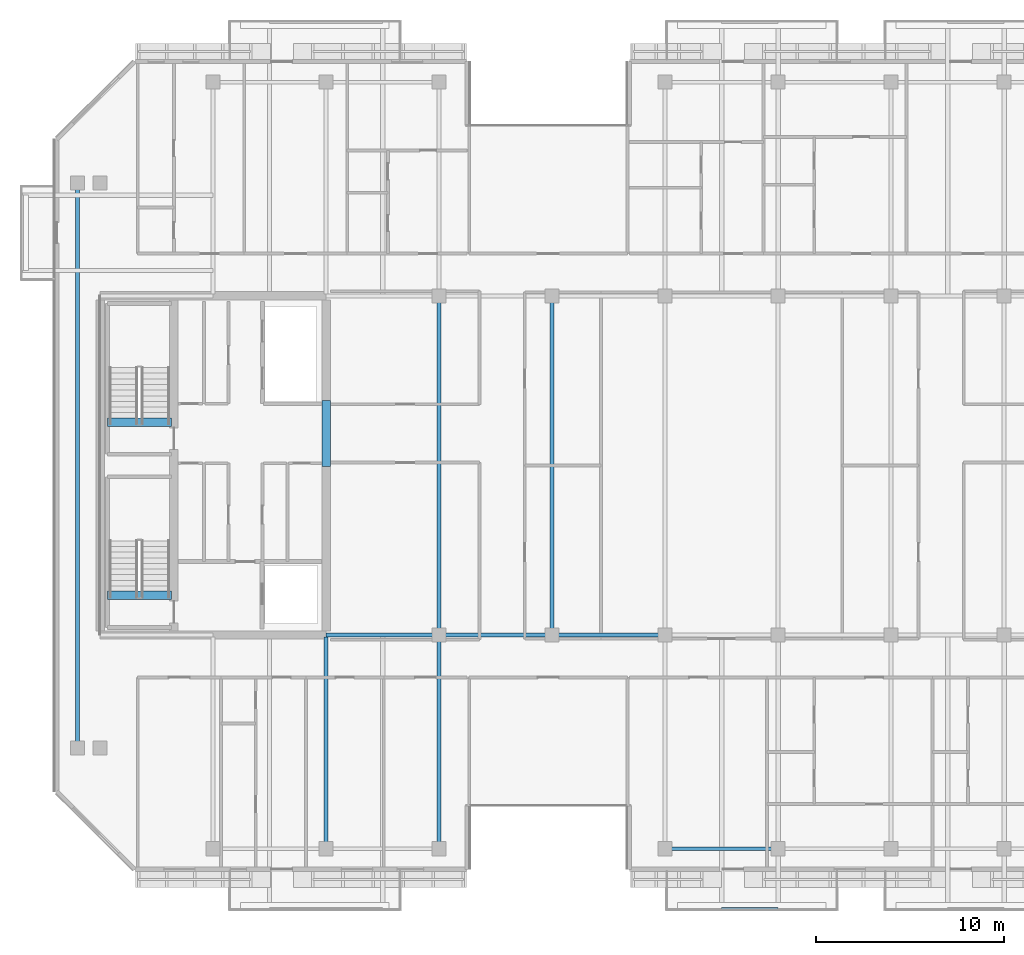
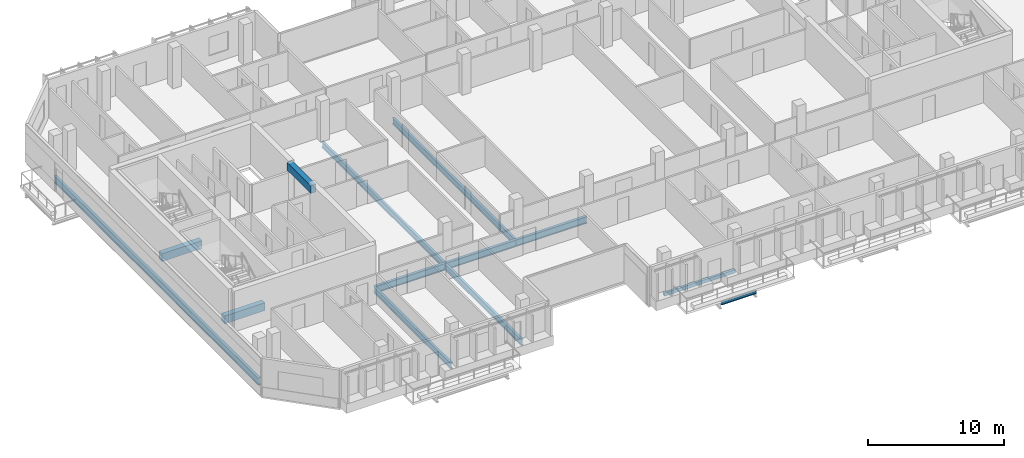
# One storey, part 3 of 23: 13 beams.
"""IFC4 building model written with IfcOpenShell, lengths in metres."""

from ifc_helpers import new_model, si_unit, direction, frame, origin, origin_2d, place, context, subcontext, project, spatial, rectangle, hollow_rectangle, i_section, extrude, material, material_profile, profile_set, type_object, element, save


model = new_model("IFC4")

# Units and contexts
model_context = context("Model", 3, precision=1e-05, world=origin(), true_north=direction((0.0, 1.0)))
body_context = subcontext(model_context, "Body", "Model", "MODEL_VIEW")
ifc_project = project(units=[si_unit("LENGTHUNIT", "METRE"), si_unit("AREAUNIT", "SQUARE_METRE"), si_unit("VOLUMEUNIT", "CUBIC_METRE"), si_unit("PLANEANGLEUNIT", "RADIAN"), si_unit("MASSUNIT", "GRAM", prefix="KILO")], contexts=[model_context])

# Site, building, storey
site_placement = place(None, origin())
site = spatial("IfcSite", under=ifc_project, at=site_placement, CompositionType="ELEMENT")
building_placement = place(site_placement, origin())
building = spatial("IfcBuilding", under=site, at=building_placement, Name="Tanjung Sevakor Pilgrim Tower", CompositionType="ELEMENT")
storey_placement = place(building_placement, frame((0.0, 0.0, 215.489990234375)))
storey = spatial("IfcBuildingStorey", under=building, at=storey_placement, Name="L60", CompositionType="ELEMENT", Elevation=215.489990234375)

# Beams
ifc_material_1 = material(Name="Steel S355J2", Category="steel")
ifc_material_profile_1 = material_profile(ifc_material_1, i_section(OverallWidth=0.22900390625, OverallDepth=0.6123046875, WebThickness=0.011962890625, FlangeThickness=0.01953125, FilletRadius=0.0126953125, at=origin_2d()))
ifc_profile_set_1 = profile_set([ifc_material_profile_1], Name="Steel S355J2")
beam_type_1 = type_object("IfcBeamType", Name="BM-B-G4-UB_610x229x125", PredefinedType="BEAM", material=ifc_profile_set_1)
beam_1_placement = place(storey_placement, frame((22.800048828125, 18.60009765625, -0.526123046875), z_axis=(0.0, 1.0, 0.0), x_axis=(-1.0, 0.0, 0.0)))
element("IfcBeam", 1, at=beam_1_placement, inside=storey, type_object=beam_type_1, Name="L60 Short-End Edge Girder W", PredefinedType="BEAM", context=body_context, shape_type="SweptSolid", body=[
    extrude(i_section(OverallWidth=0.22900390625, OverallDepth=0.6123046875, WebThickness=0.011962890625, FlangeThickness=0.01953125, FilletRadius=0.0126953125, at=origin_2d()), origin(), (0.0, 0.0, 1.0), 30.0),
])
for number, where, z_axis, x_axis, name in (
    (2, (36.0, 24.60009765625, -0.526123046875), (1.0, 0.0, 0.0), (0.0, 1.0, 0.0), "L60 Primary Floor Girder MAIN Y246-02"),
    (3, (42.0, 24.60009765625, -0.526123046875), (1.0, 0.0, 0.0), (0.0, 1.0, 0.0), "L60 Primary Floor Girder MAIN Y246-03"),
    (4, (48.0, 24.60009765625, -0.526123046875), (1.0, 0.0, 0.0), (0.0, 1.0, 0.0), "L60 Primary Floor Girder MAIN Y246-04"),
):
    element("IfcBeam", number, at=place(storey_placement, frame(where, z_axis=z_axis, x_axis=x_axis)), inside=storey, type_object=beam_type_1, Name=name, PredefinedType="BEAM", context=body_context, shape_type="SweptSolid", body=[
        extrude(i_section(OverallWidth=0.22900390625, OverallDepth=0.6123046875, WebThickness=0.011962890625, FlangeThickness=0.01953125, FilletRadius=0.0126953125, at=origin_2d()), origin(), (0.0, 0.0, 1.0), 6.0),
    ])
ifc_material_2 = material(Name="Steel S355J2", Category="steel")
ifc_material_profile_2 = material_profile(ifc_material_2, i_section(OverallWidth=0.2119140625, OverallDepth=0.54443359375, WebThickness=0.0126953125, FlangeThickness=0.021240234375, FilletRadius=0.0126953125, at=origin_2d()))
ifc_profile_set_2 = profile_set([ifc_material_profile_2], Name="Steel S355J2")
beam_type_2 = type_object("IfcBeamType", Name="BM-B-G5-UB_533x210x122", PredefinedType="BEAM", material=ifc_profile_set_2)
beam_2_placement = place(storey_placement, frame((36.0, 13.25, -0.4921875), z_axis=(0.0, 1.0, 0.0), x_axis=(-1.0, 0.0, 0.0)))
element("IfcBeam", 5, at=beam_2_placement, inside=storey, type_object=beam_type_2, Name="L60 MAIN Girder 003", PredefinedType="BEAM", context=body_context, shape_type="SweptSolid", body=[
    extrude(i_section(OverallWidth=0.2119140625, OverallDepth=0.54443359375, WebThickness=0.0126953125, FlangeThickness=0.021240234375, FilletRadius=0.0126953125, at=origin_2d()), origin(), (0.0, 0.0, 1.0), 11.235595703125),
])
beam_3_placement = place(storey_placement, frame((42.0, 13.25, -0.4921875), z_axis=(0.0, 1.0, 0.0), x_axis=(-1.0, 0.0, 0.0)))
element("IfcBeam", 6, at=beam_3_placement, inside=storey, type_object=beam_type_2, Name="L60 MAIN Girder 005", PredefinedType="BEAM", context=body_context, shape_type="SweptSolid", body=[
    extrude(i_section(OverallWidth=0.2119140625, OverallDepth=0.54443359375, WebThickness=0.0126953125, FlangeThickness=0.021240234375, FilletRadius=0.0126953125, at=origin_2d()), origin(), (0.0, 0.0, 1.0), 11.35009765625),
])
for number, where, z_axis, x_axis, name in (
    (7, (42.0, 24.60009765625, -0.4921875), (0.0, 1.0, 0.0), (-1.0, 0.0, 0.0), "L60 MAIN Girder 006"),
    (8, (48.0, 24.60009765625, -0.4921875), (0.0, 1.0, 0.0), (-1.0, 0.0, 0.0), "L60 MAIN Girder 008"),
):
    element("IfcBeam", number, at=place(storey_placement, frame(where, z_axis=z_axis, x_axis=x_axis)), inside=storey, type_object=beam_type_2, Name=name, PredefinedType="BEAM", context=body_context, shape_type="SweptSolid", body=[
        extrude(i_section(OverallWidth=0.2119140625, OverallDepth=0.54443359375, WebThickness=0.0126953125, FlangeThickness=0.021240234375, FilletRadius=0.0126953125, at=origin_2d()), origin(), (0.0, 0.0, 1.0), 18.0),
    ])
ifc_material_3 = material(Name="Steel S355J2", Category="steel")
ifc_material_profile_3 = material_profile(ifc_material_3, i_section(OverallWidth=0.146484375, OverallDepth=0.256103515625, WebThickness=0.00634765625, FlangeThickness=0.010986328125, FilletRadius=0.007568359375, at=origin_2d()))
ifc_profile_set_3 = profile_set([ifc_material_profile_3], Name="Steel S355J2")
beam_type_3 = type_object("IfcBeamType", Name="BM-B-J6-UB_254x146x37", PredefinedType="JOIST", material=ifc_profile_set_3)
beam_4_placement = place(storey_placement, frame((57.0, 10.070068359375, -0.327880859375), z_axis=(1.0, 0.0, 0.0), x_axis=(0.0, 1.0, 0.0)))
element("IfcBeam", 9, at=beam_4_placement, inside=storey, type_object=beam_type_3, Name="L60 Balcony Rim Tie MAIN-S2", PredefinedType="JOIST", context=body_context, shape_type="SweptSolid", body=[
    extrude(i_section(OverallWidth=0.146484375, OverallDepth=0.256103515625, WebThickness=0.00634765625, FlangeThickness=0.010986328125, FilletRadius=0.007568359375, at=origin_2d()), origin(), (0.0, 0.0, 1.0), 3.0),
])
ifc_material_4 = material(Name="Concrete C60/75", Category="concrete")
ifc_material_profile_4 = material_profile(ifc_material_4, rectangle(XDim=0.449951171875, YDim=0.699951171875, at=origin_2d()))
ifc_profile_set_4 = profile_set([ifc_material_profile_4], Name="Concrete C60/75")
beam_type_4 = type_object("IfcBeamType", Name="BM-B-LN3-RC-BM_450x700", PredefinedType="LINTEL", material=ifc_profile_set_4)
beam_5_placement = place(storey_placement, frame((36.0, 33.550048828125, 3.06005859375), z_axis=(0.0, 1.0, 0.0), x_axis=(-1.0, 0.0, 0.0)))
element("IfcBeam", 10, at=beam_5_placement, inside=storey, type_object=beam_type_4, Name="L60 W Core Coupling Lintel", PredefinedType="LINTEL", context=body_context, shape_type="SweptSolid", body=[
    extrude(rectangle(XDim=0.449951171875, YDim=0.699951171875, at=origin_2d()), origin(), (0.0, 0.0, 1.0), 3.5),
])
for number, where, z_axis, x_axis, name in (
    (11, (24.39990234375, 26.699951171875, -0.35009765625), (1.0, 0.0, 0.0), (0.0, 1.0, 0.0), "L60 TS-W1 Stair Threshold Beam"),
    (12, (24.39990234375, 35.89990234375, -0.35009765625), (1.0, 0.0, 0.0), (0.0, 1.0, 0.0), "L60 TS-W2 Stair Threshold Beam"),
):
    element("IfcBeam", number, at=place(storey_placement, frame(where, z_axis=z_axis, x_axis=x_axis)), inside=storey, type_object=beam_type_4, Name=name, PredefinedType="LINTEL", context=body_context, shape_type="SweptSolid", body=[
        extrude(rectangle(XDim=0.449951171875, YDim=0.699951171875, at=origin_2d()), origin(), (0.0, 0.0, 1.0), 3.400146484375),
    ])
ifc_material_5 = material(Name="Steel S355J2", Category="steel")
ifc_material_profile_5 = material_profile(ifc_material_5, hollow_rectangle(XDim=0.199951171875, YDim=0.300048828125, WallThickness=0.012451171875, at=origin_2d()))
ifc_profile_set_5 = profile_set([ifc_material_profile_5], Name="Steel S355J2")
beam_type_5 = type_object("IfcBeamType", Name="BM-B-SP3-RHS_300x200x12.5", PredefinedType="SPANDREL", material=ifc_profile_set_5)
beam_6_placement = place(storey_placement, frame((54.0, 13.25, -0.369873046875), z_axis=(1.0, 0.0, 0.0), x_axis=(0.0, 1.0, 0.0)))
element("IfcBeam", 13, at=beam_6_placement, inside=storey, type_object=beam_type_5, Name="L60 Spandrel MAIN S-05", PredefinedType="SPANDREL", context=body_context, shape_type="SweptSolid", body=[
    extrude(hollow_rectangle(XDim=0.199951171875, YDim=0.300048828125, WallThickness=0.012451171875, at=origin_2d()), origin(), (0.0, 0.0, 1.0), 6.0),
])

save(model, "model.ifc")
